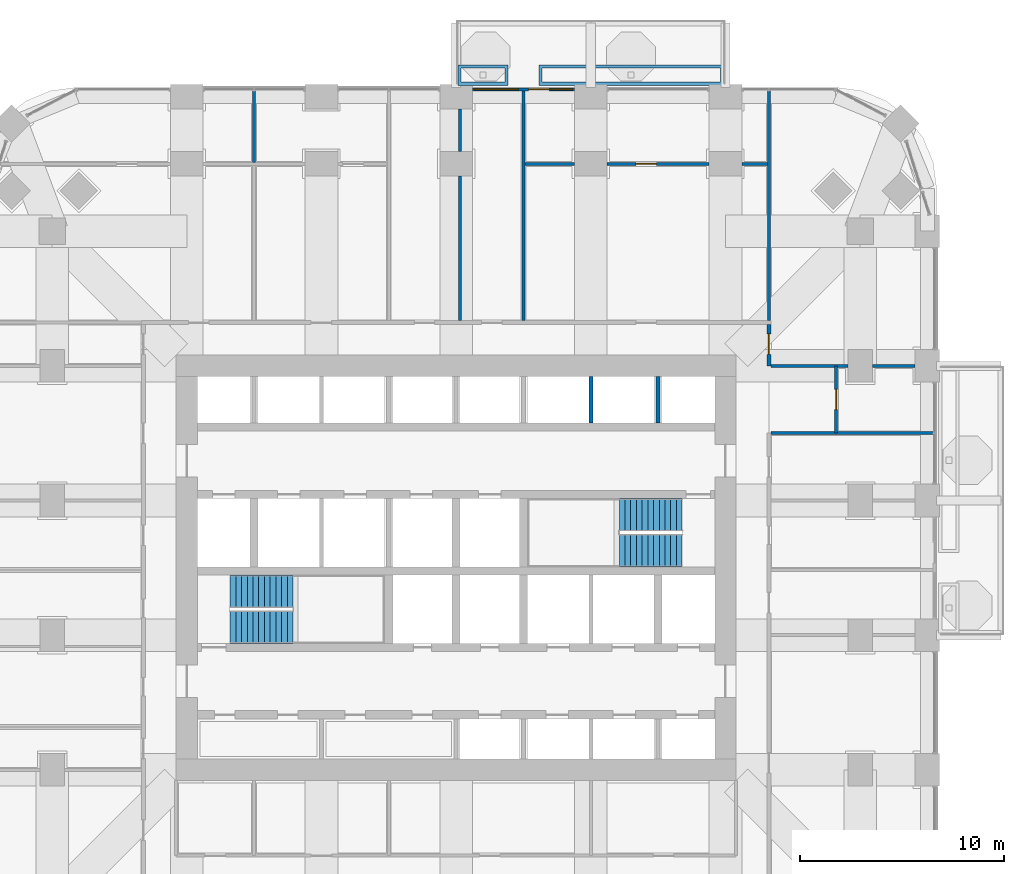
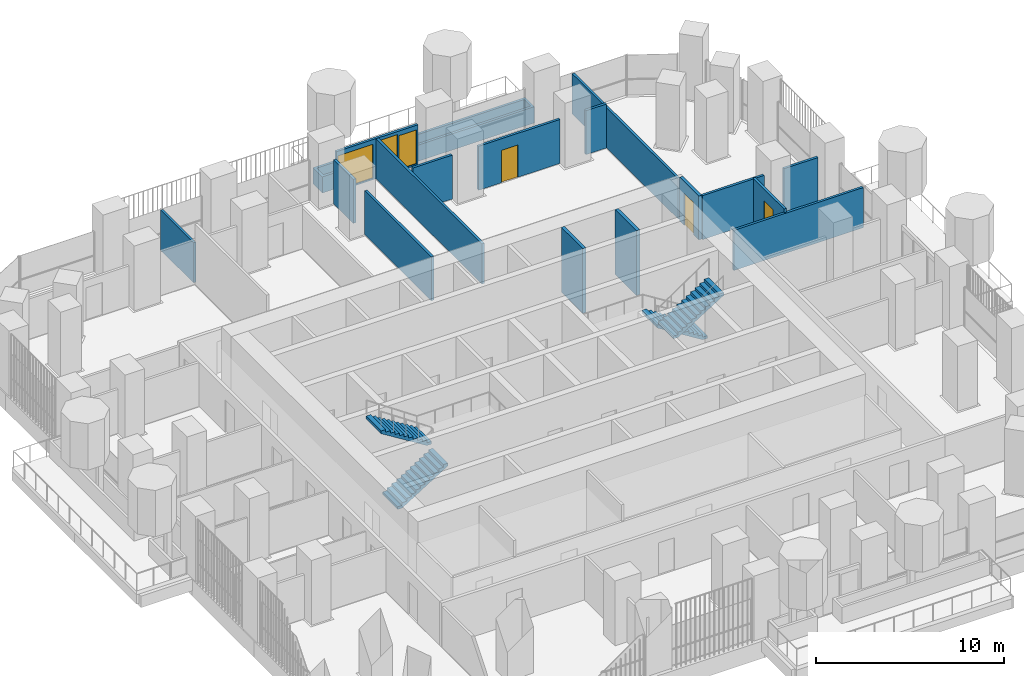
# One storey, part 17 of 22: 18 walls, 4 doors, 4 stair flights, 2 windows, 6 openings, 2 elements without a shape of their own.
"""IFC4 building model written with IfcOpenShell, lengths in metres."""

from ifc_helpers import new_model, si_unit, direction, frame, frame_2d, origin, place, context, subcontext, project, spatial, polyline, rectangle, outline, extrude, material, layer, layer_set, type_object, element, fill, aggregate, save


model = new_model("IFC4")

# Units and contexts
model_context = context("Model", 3, precision=1e-05, world=origin(), true_north=direction((0.0, 1.0)))
body_context = subcontext(model_context, "Body", "Model", "MODEL_VIEW")
ifc_project = project(units=[si_unit("LENGTHUNIT", "METRE"), si_unit("AREAUNIT", "SQUARE_METRE"), si_unit("VOLUMEUNIT", "CUBIC_METRE"), si_unit("PLANEANGLEUNIT", "RADIAN"), si_unit("MASSUNIT", "GRAM", prefix="KILO")], contexts=[model_context])

# Site, building, storey
site_placement = place(None, origin())
site = spatial("IfcSite", under=ifc_project, at=site_placement, CompositionType="ELEMENT")
building_placement = place(site_placement, origin())
building = spatial("IfcBuilding", under=site, at=building_placement, Name="Cobogo Forest Laboratory Tower", CompositionType="ELEMENT")
storey_placement = place(building_placement, frame((0.0, 0.0, 136.800048828125)))
storey = spatial("IfcBuildingStorey", under=building, at=storey_placement, Name="L31", CompositionType="ELEMENT", Elevation=136.800048828125)

# Wall, openings, door, windows
ifc_material_1 = material(Name="Aluminium framed glazed screen", Category="aluminium")
ifc_layer_1 = layer(ifc_material_1, 0.14990234375)
ifc_layer_set_1 = layer_set([ifc_layer_1], Name="GS1 glazed door screen 150")
wall_type_1 = type_object("IfcWallType", Name="GS1 glazed door screen 150", PredefinedType="SOLIDWALL", material=ifc_layer_set_1)
wall_1_placement = place(storey_placement, frame((32.199951171875, 46.550048828125, 0.0), z_axis=(0.0, 0.0, 1.0), x_axis=(-1.0, 0.0, 0.0)))
wall_1 = element("IfcWall", 1, at=wall_1_placement, inside=storey, type_object=wall_type_1, Name="Door screen BAL-N1 L31", PredefinedType="SOLIDWALL", context=body_context, shape_type="SweptSolid", body=[
    extrude(rectangle(XDim=5.0, YDim=0.14990234375, at=frame_2d((2.5, 0.0))), origin(), (0.0, 0.0, 1.0), 2.599853515625),
])
opening_1_placement = place(wall_1_placement, frame((1.25, 0.0, 0.0)))
opening_1 = element("IfcOpeningElement", 2, at=opening_1_placement, cuts=wall_1, Name="Opening L31-D45", PredefinedType="OPENING", context=body_context, shape_type="SweptSolid", body=[
    extrude(rectangle(XDim=1.0, YDim=2.39990234375, at=frame_2d((0.5, 1.199951171875))), frame((0.0, 0.0849609375, 0.0), z_axis=(0.0, -1.0, 0.0), x_axis=(1.0, 0.0, 0.0)), (0.0, 0.0, 1.0), 0.169921875),
])
opening_2_placement = place(wall_1_placement, frame((0.10009765625, 0.0, 0.10009765625)))
opening_2 = element("IfcOpeningElement", 3, at=opening_2_placement, cuts=wall_1, Name="Opening L31-W08", PredefinedType="OPENING", context=body_context, shape_type="SweptSolid", body=[
    extrude(rectangle(XDim=1.050048828125, YDim=2.199951171875, at=frame_2d((0.52490234375, 1.10009765625))), frame((0.0, 0.0849609375, 0.0), z_axis=(0.0, -1.0, 0.0), x_axis=(1.0, 0.0, 0.0)), (0.0, 0.0, 1.0), 0.169921875),
])
opening_3_placement = place(wall_1_placement, frame((2.75, 0.0, 0.10009765625)))
opening_3 = element("IfcOpeningElement", 4, at=opening_3_placement, cuts=wall_1, Name="Opening L31-W07", PredefinedType="OPENING", context=body_context, shape_type="SweptSolid", body=[
    extrude(rectangle(XDim=2.14990234375, YDim=2.199951171875, at=frame_2d((1.074951171875, 1.10009765625))), frame((0.0, 0.0849609375, 0.0), z_axis=(0.0, -1.0, 0.0), x_axis=(1.0, 0.0, 0.0)), (0.0, 0.0, 1.0), 0.169921875),
])
ifc_material_2 = material(Name="Aluminium glazed door", Category="aluminium")
door_type_1 = type_object("IfcDoorType", Name="DB1 balcony door 1000 glazed", OperationType="SINGLE_SWING_LEFT", PredefinedType="DOOR", material=ifc_material_2)
door_1_placement = place(opening_1_placement, origin())
door_1 = element("IfcDoor", 5, at=door_1_placement, inside=storey, type_object=door_type_1, Name="Door L31-BAL-N1", OperationType="SINGLE_SWING_LEFT", OverallHeight=2.39990234375, OverallWidth=1.0, PredefinedType="DOOR", context=body_context, shape_type="SweptSolid", body=[
    extrude(rectangle(XDim=1.0, YDim=2.39990234375, at=frame_2d((0.5, 1.199951171875))), frame((0.0, 0.02490234375, 0.0), z_axis=(0.0, -1.0, 0.0), x_axis=(1.0, 0.0, 0.0)), (0.0, 0.0, 1.0), 0.050048828125),
])
fill(opening_1, door_1)
ifc_material_3 = material(Name="Aluminium framed glazing", Category="aluminium")
window_type_1 = type_object("IfcWindowType", Name="WG17 fixed glazed light 2150x2200", PartitioningType="SINGLE_PANEL", PredefinedType="WINDOW", material=ifc_material_3)
window_1_placement = place(opening_3_placement, origin())
window_1 = element("IfcWindow", 6, at=window_1_placement, inside=storey, type_object=window_type_1, Name="Window L31-BAL-N1-2", OverallHeight=2.199951171875, OverallWidth=2.14990234375, PartitioningType="SINGLE_PANEL", PredefinedType="WINDOW", context=body_context, shape_type="SweptSolid", body=[
    extrude(rectangle(XDim=2.14990234375, YDim=2.199951171875, at=frame_2d((1.074951171875, 1.10009765625))), frame((0.0, 0.030029296875, 0.0), z_axis=(0.0, -1.0, 0.0), x_axis=(1.0, 0.0, 0.0)), (0.0, 0.0, 1.0), 0.06005859375),
])
fill(opening_3, window_1)
window_type_2 = type_object("IfcWindowType", Name="WG18 fixed glazed light 1050x2200", PartitioningType="SINGLE_PANEL", PredefinedType="WINDOW", material=ifc_material_3)
window_2_placement = place(opening_2_placement, origin())
window_2 = element("IfcWindow", 7, at=window_2_placement, inside=storey, type_object=window_type_2, Name="Window L31-BAL-N1-1", OverallHeight=2.199951171875, OverallWidth=1.050048828125, PartitioningType="SINGLE_PANEL", PredefinedType="WINDOW", context=body_context, shape_type="SweptSolid", body=[
    extrude(rectangle(XDim=1.050048828125, YDim=2.199951171875, at=frame_2d((0.52490234375, 1.10009765625))), frame((0.0, 0.030029296875, 0.0), z_axis=(0.0, -1.0, 0.0), x_axis=(1.0, 0.0, 0.0)), (0.0, 0.0, 1.0), 0.06005859375),
])
fill(opening_2, window_2)

# Wall
ifc_material_4 = material(Name="Gypsum board on steel studs", Category="steel")
ifc_layer_2 = layer(ifc_material_4, 0.14990234375)
ifc_layer_set_2 = layer_set([ifc_layer_2], Name="PT1 laboratory partition 150")
wall_type_2 = type_object("IfcWallType", Name="PT1 laboratory partition 150", PredefinedType="PARTITIONING", material=ifc_layer_set_2)
wall_2_placement = place(storey_placement, frame((41.72509765625, 46.469970703125, 0.0), z_axis=(0.0, 0.0, 1.0), x_axis=(0.0, -1.0, 0.0)))
element("IfcWall", 8, at=wall_2_placement, inside=storey, type_object=wall_type_2, Name="Partition PW-NE L31", PredefinedType="PARTITIONING", context=body_context, shape_type="SweptSolid", body=[
    extrude(rectangle(XDim=11.244873046875, YDim=0.14990234375, at=frame_2d((5.62255859375, 0.0))), origin(), (0.0, 0.0, 1.0), 2.599853515625),
])

# Wall, opening, door
wall_3_placement = place(storey_placement, frame((45.02490234375, 29.699951171875, 0.0), z_axis=(0.0, 0.0, 1.0), x_axis=(0.0, 1.0, 0.0)))
wall_3 = element("IfcWall", 9, at=wall_3_placement, inside=storey, type_object=wall_type_2, Name="Partition NODE-E-1 L31", PredefinedType="PARTITIONING", context=body_context, shape_type="SweptSolid", body=[
    extrude(rectangle(XDim=3.300048828125, YDim=0.14990234375, at=frame_2d((1.64990234375, 0.0))), origin(), (0.0, 0.0, 1.0), 2.849853515625),
])
opening_4_placement = place(wall_3_placement, frame((1.14990234375, 0.0, 0.0)))
opening_4 = element("IfcOpeningElement", 10, at=opening_4_placement, cuts=wall_3, Name="Opening L31-D34", PredefinedType="OPENING", context=body_context, shape_type="SweptSolid", body=[
    extrude(rectangle(XDim=1.0, YDim=2.10009765625, at=frame_2d((0.5, 1.050048828125))), frame((0.0, 0.0849609375, 0.0), z_axis=(0.0, -1.0, 0.0), x_axis=(1.0, 0.0, 0.0)), (0.0, 0.0, 1.0), 0.169921875),
])
ifc_material_5 = material(Name="Timber fire door", Category="wood")
door_type_2 = type_object("IfcDoorType", Name="FD2 fire door 1000 EI2 30", OperationType="SINGLE_SWING_LEFT", PredefinedType="DOOR", material=ifc_material_5)
door_2_placement = place(opening_4_placement, origin())
door_2 = element("IfcDoor", 11, at=door_2_placement, inside=storey, type_object=door_type_2, Name="Door L31-E3", OperationType="SINGLE_SWING_LEFT", OverallHeight=2.10009765625, OverallWidth=1.0, PredefinedType="DOOR", context=body_context, shape_type="SweptSolid", body=[
    extrude(rectangle(XDim=1.0, YDim=2.10009765625, at=frame_2d((0.5, 1.050048828125))), frame((0.0, 0.02490234375, 0.0), z_axis=(0.0, -1.0, 0.0), x_axis=(1.0, 0.0, 0.0)), (0.0, 0.0, 1.0), 0.050048828125),
])
fill(opening_4, door_2)

# Walls
wall_4_placement = place(storey_placement, frame((49.77001953125, 29.699951171875, 0.0), z_axis=(0.0, 0.0, 1.0), x_axis=(-1.0, 0.0, 0.0)))
element("IfcWall", 12, at=wall_4_placement, inside=storey, type_object=wall_type_2, Name="Partition CUT-E29.7-1 L31", PredefinedType="PARTITIONING", context=body_context, shape_type="SweptSolid", body=[
    extrude(rectangle(XDim=7.945068359375, YDim=0.14990234375, at=frame_2d((3.97265625, 0.0))), origin(), (0.0, 0.0, 1.0), 2.599853515625),
])
wall_5_placement = place(storey_placement, frame((48.89990234375, 33.0, 0.0), z_axis=(0.0, 0.0, 1.0), x_axis=(-1.0, 0.0, 0.0)))
element("IfcWall", 13, at=wall_5_placement, inside=storey, type_object=wall_type_2, Name="Partition CUT-E33-1 L31", PredefinedType="PARTITIONING", context=body_context, shape_type="SweptSolid", body=[
    extrude(rectangle(XDim=2.099853515625, YDim=0.14990234375, at=frame_2d((1.0498046875, 0.0))), origin(), (0.0, 0.0, 1.0), 2.849853515625),
])
wall_6_placement = place(storey_placement, frame((45.60009765625, 33.0, 0.0), z_axis=(0.0, 0.0, 1.0), x_axis=(-1.0, 0.0, 0.0)))
element("IfcWall", 14, at=wall_6_placement, inside=storey, type_object=wall_type_2, Name="Partition CUT-E33-2 L31", PredefinedType="PARTITIONING", context=body_context, shape_type="SweptSolid", body=[
    extrude(rectangle(XDim=3.775146484375, YDim=0.14990234375, at=frame_2d((1.8876953125, 0.0))), origin(), (0.0, 0.0, 1.0), 2.849853515625),
])
wall_7_placement = place(storey_placement, frame((41.64990234375, 42.89990234375, 0.0), z_axis=(0.0, 0.0, 1.0), x_axis=(-1.0, 0.0, 0.0)))
element("IfcWall", 15, at=wall_7_placement, inside=storey, type_object=wall_type_2, Name="Partition STRIP-N-1 L31", PredefinedType="PARTITIONING", context=body_context, shape_type="SweptSolid", body=[
    extrude(rectangle(XDim=1.25, YDim=0.14990234375, at=frame_2d((0.625, 0.0))), origin(), (0.0, 0.0, 1.0), 2.849853515625),
])

# Wall, opening, door
wall_8_placement = place(storey_placement, frame((38.800048828125, 42.89990234375, 0.0), z_axis=(0.0, 0.0, 1.0), x_axis=(-1.0, 0.0, 0.0)))
wall_8 = element("IfcWall", 16, at=wall_8_placement, inside=storey, type_object=wall_type_2, Name="Partition STRIP-N-2 L31", PredefinedType="PARTITIONING", context=body_context, shape_type="SweptSolid", body=[
    extrude(rectangle(XDim=5.0, YDim=0.14990234375, at=frame_2d((2.5, 0.0))), origin(), (0.0, 0.0, 1.0), 2.849853515625),
])
opening_5_placement = place(wall_8_placement, frame((2.58740234375, 0.0, 0.0)))
opening_5 = element("IfcOpeningElement", 17, at=opening_5_placement, cuts=wall_8, Name="Opening L31-D44", PredefinedType="OPENING", context=body_context, shape_type="SweptSolid", body=[
    extrude(rectangle(XDim=1.0, YDim=2.10009765625, at=frame_2d((0.5, 1.050048828125))), frame((0.0, 0.0849609375, 0.0), z_axis=(0.0, -1.0, 0.0), x_axis=(1.0, 0.0, 0.0)), (0.0, 0.0, 1.0), 0.169921875),
])
door_3_placement = place(opening_5_placement, origin())
door_3 = element("IfcDoor", 18, at=door_3_placement, inside=storey, type_object=door_type_2, Name="Door L31-N4W", OperationType="SINGLE_SWING_RIGHT", OverallHeight=2.10009765625, OverallWidth=1.0, PredefinedType="DOOR", context=body_context, shape_type="SweptSolid", body=[
    extrude(rectangle(XDim=1.0, YDim=2.10009765625, at=frame_2d((0.5, 1.050048828125))), frame((0.0, 0.02490234375, 0.0), z_axis=(0.0, -1.0, 0.0), x_axis=(1.0, 0.0, 0.0)), (0.0, 0.0, 1.0), 0.050048828125),
])
fill(opening_5, door_3)

# Walls
wall_9_placement = place(storey_placement, frame((32.199951171875, 42.89990234375, 0.0), z_axis=(0.0, 0.0, 1.0), x_axis=(-1.0, 0.0, 0.0)))
element("IfcWall", 19, at=wall_9_placement, inside=storey, type_object=wall_type_2, Name="Partition STRIP-N-3 L31", PredefinedType="PARTITIONING", context=body_context, shape_type="SweptSolid", body=[
    extrude(rectangle(XDim=2.425048828125, YDim=0.14990234375, at=frame_2d((1.21240234375, 0.0))), origin(), (0.0, 0.0, 1.0), 2.849853515625),
])
wall_10_placement = place(storey_placement, frame((26.60009765625, 45.60009765625, 0.0), z_axis=(0.0, 0.0, 1.0), x_axis=(0.0, -1.0, 0.0)))
element("IfcWall", 20, at=wall_10_placement, inside=storey, type_object=wall_type_2, Name="Partition SVC-N1-1 L31", PredefinedType="PARTITIONING", context=body_context, shape_type="SweptSolid", body=[
    extrude(rectangle(XDim=2.10009765625, YDim=0.14990234375, at=frame_2d((1.050048828125, 0.0))), origin(), (0.0, 0.0, 1.0), 2.849853515625),
])
wall_11_placement = place(storey_placement, frame((26.60009765625, 42.300048828125, 0.0), z_axis=(0.0, 0.0, 1.0), x_axis=(0.0, -1.0, 0.0)))
element("IfcWall", 21, at=wall_11_placement, inside=storey, type_object=wall_type_2, Name="Partition SVC-N1-2 L31", PredefinedType="PARTITIONING", context=body_context, shape_type="SweptSolid", body=[
    extrude(rectangle(XDim=7.074951171875, YDim=0.14990234375, at=frame_2d((3.53759765625, 0.0))), origin(), (0.0, 0.0, 1.0), 2.849853515625),
])
wall_12_placement = place(storey_placement, frame((16.5, 46.469970703125, 0.0), z_axis=(0.0, 0.0, 1.0), x_axis=(0.0, -1.0, 0.0)))
element("IfcWall", 22, at=wall_12_placement, inside=storey, type_object=wall_type_2, Name="Partition CUT-N16.5a-1 L31", PredefinedType="PARTITIONING", context=body_context, shape_type="SweptSolid", body=[
    extrude(rectangle(XDim=3.494873046875, YDim=0.14990234375, at=frame_2d((1.74755859375, 0.0))), origin(), (0.0, 0.0, 1.0), 2.599853515625),
])
wall_13_placement = place(storey_placement, frame((29.699951171875, 46.469970703125, 0.0), z_axis=(0.0, 0.0, 1.0), x_axis=(0.0, -1.0, 0.0)))
element("IfcWall", 23, at=wall_13_placement, inside=storey, type_object=wall_type_2, Name="Partition CUT-N29.7-1 L31", PredefinedType="PARTITIONING", context=body_context, shape_type="SweptSolid", body=[
    extrude(rectangle(XDim=11.244873046875, YDim=0.14990234375, at=frame_2d((5.62255859375, 0.0))), origin(), (0.0, 0.0, 1.0), 2.599853515625),
])

# Wall, opening, door
ifc_layer_3 = layer(ifc_material_4, 0.199951171875)
ifc_layer_set_3 = layer_set([ifc_layer_3], Name="PT2 fire-rated corridor partition 200")
wall_type_3 = type_object("IfcWallType", Name="PT2 fire-rated corridor partition 200", PredefinedType="PARTITIONING", material=ifc_layer_set_3)
wall_14_placement = place(storey_placement, frame((41.72509765625, 33.0, 0.0), z_axis=(0.0, 0.0, 1.0), x_axis=(0.0, 1.0, 0.0)))
wall_14 = element("IfcWall", 24, at=wall_14_placement, inside=storey, type_object=wall_type_3, Name="Partition CORR-E-2 L31", PredefinedType="PARTITIONING", context=body_context, shape_type="SweptSolid", body=[
    extrude(rectangle(XDim=2.02490234375, YDim=0.199951171875, at=frame_2d((1.012451171875, 0.0))), origin(), (0.0, 0.0, 1.0), 2.849853515625),
])
opening_6_placement = place(wall_14_placement, frame((0.5625, 0.0, 0.0)))
opening_6 = element("IfcOpeningElement", 25, at=opening_6_placement, cuts=wall_14, Name="Opening L31-D36", PredefinedType="OPENING", context=body_context, shape_type="SweptSolid", body=[
    extrude(rectangle(XDim=1.0, YDim=2.10009765625, at=frame_2d((0.5, 1.050048828125))), frame((0.0, 0.10986328125, 0.0), z_axis=(0.0, -1.0, 0.0), x_axis=(1.0, 0.0, 0.0)), (0.0, 0.0, 1.0), 0.219970703125),
])
door_4_placement = place(opening_6_placement, origin())
door_4 = element("IfcDoor", 26, at=door_4_placement, inside=storey, type_object=door_type_2, Name="Door L31-E4", OperationType="SINGLE_SWING_RIGHT", OverallHeight=2.10009765625, OverallWidth=1.0, PredefinedType="DOOR", context=body_context, shape_type="SweptSolid", body=[
    extrude(rectangle(XDim=1.0, YDim=2.10009765625, at=frame_2d((0.5, 1.050048828125))), frame((0.0, 0.02490234375, 0.0), z_axis=(0.0, -1.0, 0.0), x_axis=(1.0, 0.0, 0.0)), (0.0, 0.0, 1.0), 0.050048828125),
])
fill(opening_6, door_4)

# Walls
ifc_material_6 = material(Name="Concrete HA-40 (C40/50)", Category="concrete")
ifc_layer_4 = layer(ifc_material_6, 0.14990234375)
ifc_layer_set_4 = layer_set([ifc_layer_4], Name="Planter box 1000x1050")
wall_type_4 = type_object("IfcWallType", Name="Planter box 1000x1050", PredefinedType="USERDEFINED", material=ifc_layer_set_4)
wall_15_placement = place(storey_placement, origin())
element("IfcWall", 27, at=wall_15_placement, inside=storey, type_object=wall_type_4, Name="Planter BAL-N1-1 L31", ObjectType="PLANTER", PredefinedType="USERDEFINED", context=body_context, shape_type="SweptSolid", body=[
    extrude(outline(polyline([(26.5, 46.75), (28.949951171875, 46.75), (28.949951171875, 47.75), (26.5, 47.75), (26.5, 46.75)]), holes=[polyline([(26.64990234375, 46.89990234375), (28.800048828125, 46.89990234375), (28.800048828125, 47.60009765625), (26.64990234375, 47.60009765625), (26.64990234375, 46.89990234375)])]), origin(), (0.0, 0.0, 1.0), 1.050048828125),
])
wall_16_placement = place(storey_placement, origin())
element("IfcWall", 28, at=wall_16_placement, inside=storey, type_object=wall_type_4, Name="Planter BAL-N1-2 L31", ObjectType="PLANTER", PredefinedType="USERDEFINED", context=body_context, shape_type="SweptSolid", body=[
    extrude(outline(polyline([(30.449951171875, 46.75), (39.5, 46.75), (39.5, 47.75), (30.449951171875, 47.75), (30.449951171875, 46.75)]), holes=[polyline([(30.60009765625, 46.89990234375), (39.35009765625, 46.89990234375), (39.35009765625, 47.60009765625), (30.60009765625, 47.60009765625), (30.60009765625, 46.89990234375)])]), origin(), (0.0, 0.0, 1.0), 1.050048828125),
])
ifc_material_7 = material(Name="Concrete block", Category="concrete")
ifc_layer_5 = layer(ifc_material_7, 0.199951171875)
ifc_layer_set_5 = layer_set([ifc_layer_5], Name="SW200 lift shaft separator 200")
wall_type_5 = type_object("IfcWallType", Name="SW200 lift shaft separator 200", PredefinedType="PARTITIONING", material=ifc_layer_set_5)
for number, where, z_axis, x_axis, name in (
    (29, (33.0, 30.199951171875, 0.0), (0.0, 0.0, 1.0), (0.0, 1.0, 0.0), "Core wall SEP-N6 L31"),
    (30, (36.300048828125, 30.199951171875, 0.0), (0.0, 0.0, 1.0), (0.0, 1.0, 0.0), "Core wall SEP-N7 L31"),
):
    element("IfcWall", number, at=place(storey_placement, frame(where, z_axis=z_axis, x_axis=x_axis)), inside=storey, type_object=wall_type_5, Name=name, PredefinedType="PARTITIONING", context=body_context, shape_type="SweptSolid", body=[
        extrude(rectangle(XDim=2.275146484375, YDim=0.199951171875, at=frame_2d((1.1376953125, 0.0))), origin(), (0.0, 0.0, 1.0), 4.199951171875),
    ])

# Stair, stair flights
ifc_material_8 = material(Name="Precast concrete HA-40 (C40/50)", Category="concrete")
stair_type = type_object("IfcStairType", Name="ST24 exit stair 24 risers", PredefinedType="HALF_TURN_STAIR", material=ifc_material_8)
stair_1_placement = place(storey_placement, origin())
stair_1 = element("IfcStair", 31, at=stair_1_placement, inside=storey, type_object=stair_type, Name="Stair 1 L31 to L32", PredefinedType="HALF_TURN_STAIR")
stair_flight_type = type_object("IfcStairFlightType", Name="ST stair flight 280 going", PredefinedType="STRAIGHT", material=ifc_material_8)
stair_flight_1_placement = place(storey_placement, frame((15.324951171875, 20.199951171875, 0.0), z_axis=(0.0, 0.0, 1.0), x_axis=(1.0, 0.0, 0.0)))
stair_flight_1 = element("IfcStairFlight", 32, at=stair_flight_1_placement, type_object=stair_flight_type, Name="ST1 flight 1", NumberOfRisers=12, NumberOfTreads=11, PredefinedType="STRAIGHT", RiserHeight=0.175, TreadLength=0.28, context=body_context, shape_type="SweptSolid", body=[
    extrude(outline(polyline([(0.0, 0.0), (0.0, 0.175048828125), (0.280029296875, 0.175048828125), (0.280029296875, 0.35009765625), (0.56005859375, 0.35009765625), (0.56005859375, 0.52490234375), (0.840087890625, 0.52490234375), (0.840087890625, 0.699951171875), (1.1201171875, 0.699951171875), (1.1201171875, 0.875), (1.39990234375, 0.875), (1.39990234375, 1.050048828125), (1.679931640625, 1.050048828125), (1.679931640625, 1.22509765625), (1.9599609375, 1.22509765625), (1.9599609375, 1.39990234375), (2.239990234375, 1.39990234375), (2.239990234375, 1.574951171875), (2.52001953125, 1.574951171875), (2.52001953125, 1.75), (2.800048828125, 1.75), (2.800048828125, 1.925048828125), (3.080078125, 1.925048828125), (3.080078125, 2.10009765625), (3.080078125, 1.748291015625), (0.28271484375, 0.0), (0.0, 0.0)])), frame((0.0, 0.800048828125, 0.0), z_axis=(0.0, -1.0, 0.0), x_axis=(1.0, 0.0, 0.0)), (0.0, 0.0, 1.0), 1.60009765625),
])
stair_flight_2_placement = place(storey_placement, frame((18.405029296875, 21.949951171875, 2.099853515625), z_axis=(0.0, 0.0, 1.0), x_axis=(-1.0, 0.0, 0.0)))
stair_flight_2 = element("IfcStairFlight", 33, at=stair_flight_2_placement, type_object=stair_flight_type, Name="ST1 flight 2", NumberOfRisers=12, NumberOfTreads=11, PredefinedType="STRAIGHT", RiserHeight=0.175, TreadLength=0.28, context=body_context, shape_type="SweptSolid", body=[
    extrude(outline(polyline([(0.0, 0.0), (0.0, 0.175048828125), (0.280029296875, 0.175048828125), (0.280029296875, 0.35009765625), (0.56005859375, 0.35009765625), (0.56005859375, 0.52490234375), (0.840087890625, 0.52490234375), (0.840087890625, 0.699951171875), (1.1201171875, 0.699951171875), (1.1201171875, 0.875), (1.39990234375, 0.875), (1.39990234375, 1.050048828125), (1.679931640625, 1.050048828125), (1.679931640625, 1.22509765625), (1.9599609375, 1.22509765625), (1.9599609375, 1.39990234375), (2.239990234375, 1.39990234375), (2.239990234375, 1.574951171875), (2.52001953125, 1.574951171875), (2.52001953125, 1.75), (2.800048828125, 1.75), (2.800048828125, 1.925048828125), (3.080078125, 1.925048828125), (3.080078125, 2.10009765625), (3.080078125, 1.748291015625), (0.28271484375, 0.0), (0.0, 0.0)])), frame((0.0, 0.800048828125, 0.0), z_axis=(0.0, -1.0, 0.0), x_axis=(1.0, 0.0, 0.0)), (0.0, 0.0, 1.0), 1.60009765625),
])
aggregate(stair_1, [stair_flight_1, stair_flight_2])

stair_2_placement = place(storey_placement, origin())
stair_2 = element("IfcStair", 34, at=stair_2_placement, inside=storey, type_object=stair_type, Name="Stair 2 L31 to L32", PredefinedType="HALF_TURN_STAIR")
stair_flight_3_placement = place(storey_placement, frame((37.47509765625, 25.699951171875, 0.0), z_axis=(0.0, 0.0, 1.0), x_axis=(-1.0, 0.0, 0.0)))
stair_flight_3 = element("IfcStairFlight", 35, at=stair_flight_3_placement, type_object=stair_flight_type, Name="ST2 flight 1", NumberOfRisers=12, NumberOfTreads=11, PredefinedType="STRAIGHT", RiserHeight=0.175, TreadLength=0.28, context=body_context, shape_type="SweptSolid", body=[
    extrude(outline(polyline([(0.0, 0.0), (0.0, 0.175048828125), (0.280029296875, 0.175048828125), (0.280029296875, 0.35009765625), (0.56005859375, 0.35009765625), (0.56005859375, 0.52490234375), (0.840087890625, 0.52490234375), (0.840087890625, 0.699951171875), (1.1201171875, 0.699951171875), (1.1201171875, 0.875), (1.39990234375, 0.875), (1.39990234375, 1.050048828125), (1.679931640625, 1.050048828125), (1.679931640625, 1.22509765625), (1.9599609375, 1.22509765625), (1.9599609375, 1.39990234375), (2.239990234375, 1.39990234375), (2.239990234375, 1.574951171875), (2.52001953125, 1.574951171875), (2.52001953125, 1.75), (2.800048828125, 1.75), (2.800048828125, 1.925048828125), (3.080078125, 1.925048828125), (3.080078125, 2.10009765625), (3.080078125, 1.748291015625), (0.28271484375, 0.0), (0.0, 0.0)])), frame((0.0, 0.800048828125, 0.0), z_axis=(0.0, -1.0, 0.0), x_axis=(1.0, 0.0, 0.0)), (0.0, 0.0, 1.0), 1.60009765625),
])
stair_flight_4_placement = place(storey_placement, frame((34.39501953125, 23.949951171875, 2.099853515625), z_axis=(0.0, 0.0, 1.0), x_axis=(1.0, 0.0, 0.0)))
stair_flight_4 = element("IfcStairFlight", 36, at=stair_flight_4_placement, type_object=stair_flight_type, Name="ST2 flight 2", NumberOfRisers=12, NumberOfTreads=11, PredefinedType="STRAIGHT", RiserHeight=0.175, TreadLength=0.28, context=body_context, shape_type="SweptSolid", body=[
    extrude(outline(polyline([(0.0, 0.0), (0.0, 0.175048828125), (0.280029296875, 0.175048828125), (0.280029296875, 0.35009765625), (0.56005859375, 0.35009765625), (0.56005859375, 0.52490234375), (0.840087890625, 0.52490234375), (0.840087890625, 0.699951171875), (1.1201171875, 0.699951171875), (1.1201171875, 0.875), (1.39990234375, 0.875), (1.39990234375, 1.050048828125), (1.679931640625, 1.050048828125), (1.679931640625, 1.22509765625), (1.9599609375, 1.22509765625), (1.9599609375, 1.39990234375), (2.239990234375, 1.39990234375), (2.239990234375, 1.574951171875), (2.52001953125, 1.574951171875), (2.52001953125, 1.75), (2.800048828125, 1.75), (2.800048828125, 1.925048828125), (3.080078125, 1.925048828125), (3.080078125, 2.10009765625), (3.080078125, 1.748291015625), (0.28271484375, 0.0), (0.0, 0.0)])), frame((0.0, 0.800048828125, 0.0), z_axis=(0.0, -1.0, 0.0), x_axis=(1.0, 0.0, 0.0)), (0.0, 0.0, 1.0), 1.60009765625),
])
aggregate(stair_2, [stair_flight_3, stair_flight_4])

save(model, "model.ifc")
